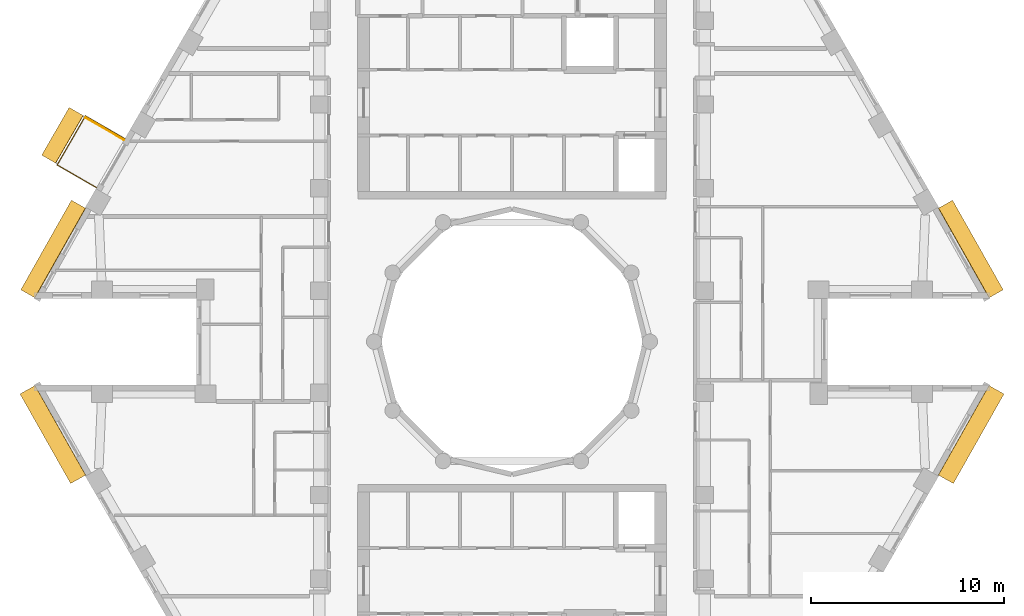
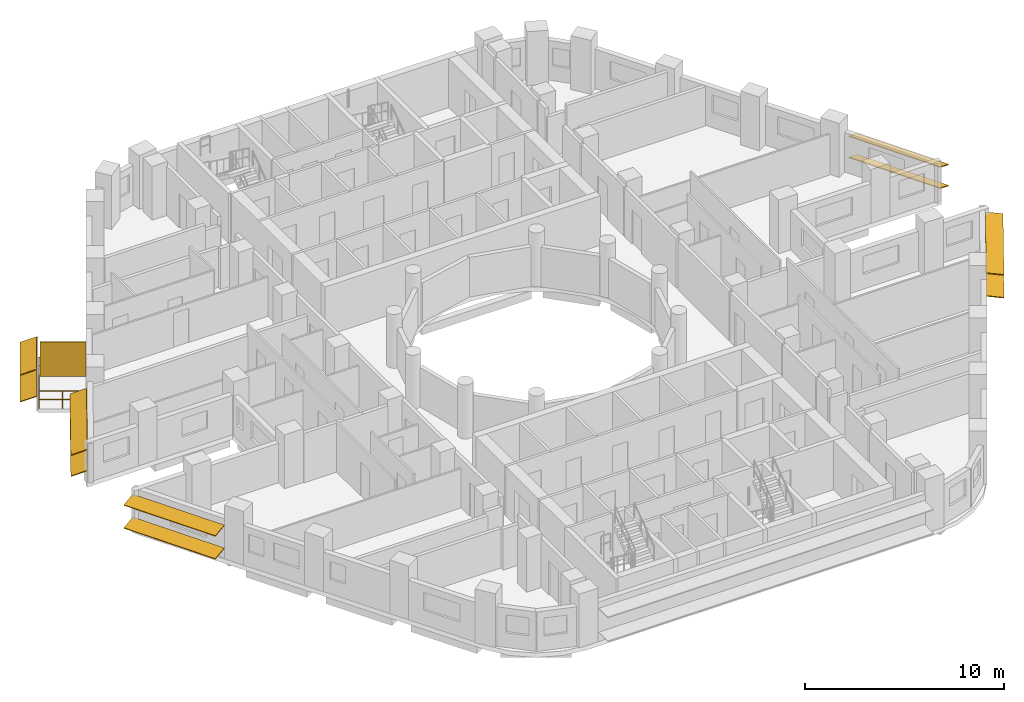
# One storey, part 12 of 13: 11 shading devices, 1 railing.
"""IFC4 building model written with IfcOpenShell, lengths in metres."""

from ifc_helpers import new_model, si_unit, direction, frame, origin, origin_2d, place, context, subcontext, project, spatial, rectangle, circle, extrude, material, layer, layer_set, material_profile, profile_set, type_object, element, save


model = new_model("IFC4")

# Units and contexts
model_context = context("Model", 3, precision=1e-05, world=origin(), true_north=direction((0.0, 1.0)))
body_context = subcontext(model_context, "Body", "Model", "MODEL_VIEW")
ifc_project = project(units=[si_unit("LENGTHUNIT", "METRE"), si_unit("AREAUNIT", "SQUARE_METRE"), si_unit("VOLUMEUNIT", "CUBIC_METRE"), si_unit("PLANEANGLEUNIT", "RADIAN"), si_unit("MASSUNIT", "GRAM", prefix="KILO")], contexts=[model_context])

# Site, building, storey
site_placement = place(None, origin())
site = spatial("IfcSite", under=ifc_project, at=site_placement, CompositionType="ELEMENT")
building_placement = place(site_placement, origin())
building = spatial("IfcBuilding", under=site, at=building_placement, Name="Nakaniwa Court", CompositionType="ELEMENT")
storey_placement = place(building_placement, frame((0.0, 0.0, 246.0)))
storey = spatial("IfcBuildingStorey", under=building, at=storey_placement, Name="L64", CompositionType="ELEMENT", Elevation=246.0)

# Railing
ifc_material_1 = material(Name="Black powder-coated steel flat bar balustrade S275", Category="steel")
railing_type = type_object("IfcRailingType", Name="Black metal balcony guard 1100", PredefinedType="GUARDRAIL", material=ifc_material_1)
railing_placement = place(storey_placement, frame((59.9228515625, 90.525390625, -0.050048828125)))
element("IfcRailing", 1, at=railing_placement, inside=storey, type_object=railing_type, Name="L64 balcony guard 01", PredefinedType="GUARDRAIL", context=body_context, shape_type="SweptSolid", body=[
    extrude(circle(Radius=0.02392578125, at=origin_2d()), frame((0.0, 0.0, 1.076171875), z_axis=(-0.866051224006, 0.499955275397, 0.0), x_axis=(-0.499955275397, -0.866051224006, 0.0)), (0.0, 0.0, 1.0), 2.360107421875),
    extrude(circle(Radius=0.02392578125, at=origin_2d()), frame((0.0, 0.0, 0.550048828125), z_axis=(-0.866051224006, 0.499955275397, 0.0), x_axis=(-0.499955275397, -0.866051224006, 0.0)), (0.0, 0.0, 1.0), 2.360107421875),
    extrude(circle(Radius=0.02392578125, at=origin_2d()), frame((-2.0439453125, 1.179931640625, 1.076171875), z_axis=(-0.499953038101, -0.866052515552, 0.0), x_axis=(0.866052515552, -0.499953038101, 0.0)), (0.0, 0.0, 1.0), 2.932861328125),
    extrude(circle(Radius=0.02392578125, at=origin_2d()), frame((-2.0439453125, 1.179931640625, 0.550048828125), z_axis=(-0.499953038101, -0.866052515552, 0.0), x_axis=(0.866052515552, -0.499953038101, 0.0)), (0.0, 0.0, 1.0), 2.932861328125),
    extrude(circle(Radius=0.02392578125, at=origin_2d()), frame((-3.51025390625, -1.360107421875, 1.076171875), z_axis=(0.866025363618, -0.50000006957, 0.0), x_axis=(0.50000006957, 0.866025363618, 0.0)), (0.0, 0.0, 1.0), 2.35986328125),
    extrude(circle(Radius=0.02392578125, at=origin_2d()), frame((-3.51025390625, -1.360107421875, 0.550048828125), z_axis=(0.866025363618, -0.50000006957, 0.0), x_axis=(0.50000006957, 0.866025363618, 0.0)), (0.0, 0.0, 1.0), 2.35986328125),
    extrude(circle(Radius=0.02099609375, at=origin_2d()), origin(), (0.0, 0.0, 1.0), 1.052001953125),
    extrude(circle(Radius=0.02099609375, at=origin_2d()), frame((-1.02197265625, 0.58984375, 0.0)), (0.0, 0.0, 1.0), 1.052001953125),
    extrude(circle(Radius=0.02099609375, at=origin_2d()), frame((-2.0439453125, 1.179931640625, 0.0)), (0.0, 0.0, 1.0), 1.052001953125),
    extrude(circle(Radius=0.02099609375, at=origin_2d()), frame((-2.53271484375, 0.333251953125, 0.0)), (0.0, 0.0, 1.0), 1.052001953125),
    extrude(circle(Radius=0.02099609375, at=origin_2d()), frame((-3.021484375, -0.513427734375, 0.0)), (0.0, 0.0, 1.0), 1.052001953125),
    extrude(circle(Radius=0.02099609375, at=origin_2d()), frame((-3.51025390625, -1.360107421875, 0.0)), (0.0, 0.0, 1.0), 1.052001953125),
    extrude(circle(Radius=0.02099609375, at=origin_2d()), frame((-2.48828125, -1.9501953125, 0.0)), (0.0, 0.0, 1.0), 1.052001953125),
    extrude(circle(Radius=0.02099609375, at=origin_2d()), frame((-1.466552734375, -2.5400390625, 0.0)), (0.0, 0.0, 1.0), 1.052001953125),
])

# Shading devices
ifc_material_2 = material(Name="Black powder-coated aluminium slat screen", Category="aluminium")
ifc_layer = layer(ifc_material_2, 0.0400390625)
ifc_layer_set = layer_set([ifc_layer], Name="Black powder-coated aluminium slat screen")
shading_device_type_1 = type_object("IfcShadingDeviceType", Name="Koshi screen black metal", PredefinedType="USERDEFINED", material=ifc_layer_set)
shading_device_placement = place(storey_placement, frame((58.882568359375, 91.033447265625, -0.050048828125), z_axis=(0.0, 0.0, 1.0), x_axis=(-0.499986396443, -0.866033257659, 0.0)))
element("IfcShadingDevice", 2, at=shading_device_placement, inside=storey, type_object=shading_device_type_1, Name="L64 balcony SCREEN 01 W", ObjectType="KOSHI SCREEN", PredefinedType="USERDEFINED", context=body_context, shape_type="SweptSolid", body=[
    extrude(rectangle(XDim=0.0400390625, YDim=2.31005859375, at=origin_2d()), origin(), (0.0, 0.0, 1.0), 2.10009765625),
])
ifc_material_3 = material(Name="Perforated charcoal ceramic louvre blade")
ifc_material_profile = material_profile(ifc_material_3, rectangle(XDim=0.89990234375, YDim=0.050048828125, at=origin_2d()), Name="Perforated ceramic louvre blade")
ifc_profile_set = profile_set([ifc_material_profile], Name="Perforated charcoal ceramic louvre blade")
shading_device_type_2 = type_object("IfcShadingDeviceType", Name="Perforated ceramic louvre blade", PredefinedType="JALOUSIE", material=ifc_profile_set)
for number, where, z_axis, x_axis, name in (
    (3, (57.404052734375, 91.933349609375, 0.5), (-0.499949632511, -0.866054481515, 0.0), (0.800130009511, -0.461893232763, 0.382683432365), "L64 perforated ceramic louvre blade 01 1"),
    (4, (57.404052734375, 91.933349609375, 2.14990234375), (-0.499949632511, -0.866054481515, 0.0), (0.800130009511, -0.461893232763, 0.382683432365), "L64 perforated ceramic louvre blade 01 2"),
):
    element("IfcShadingDevice", number, at=place(storey_placement, frame(where, z_axis=z_axis, x_axis=x_axis)), inside=storey, type_object=shading_device_type_2, Name=name, PredefinedType="JALOUSIE", context=body_context, shape_type="SweptSolid", body=[
        extrude(rectangle(XDim=0.89990234375, YDim=0.050048828125, at=origin_2d()), origin(), (0.0, 0.0, 1.0), 2.852783203125),
    ])
for number, where, z_axis, x_axis, name in (
    (5, (105.103759765625, 82.480224609375, 0.550048828125), (-0.492088911474, 0.870544946114, 0.0), (-0.804858877011, -0.454958851288, 0.38107037635), "L64 perforated ceramic louvre blade w02 1"),
    (6, (105.103759765625, 82.480224609375, 1.845458984375), (-0.492088911474, 0.870544946114, 0.0), (-0.804858877011, -0.454958851288, 0.38107037635), "L64 perforated ceramic louvre blade w02 2"),
    (7, (57.5224609375, 87.126220703125, 0.550048828125), (-0.492088911474, -0.870544946114, 0.0), (0.804858877011, -0.454958851288, 0.38107037635), "L64 perforated ceramic louvre blade w14 1"),
    (8, (57.5224609375, 87.126220703125, 1.845458984375), (-0.492088911474, -0.870544946114, 0.0), (0.804858877011, -0.454958851288, 0.38107037635), "L64 perforated ceramic louvre blade w14 2"),
):
    element("IfcShadingDevice", number, at=place(storey_placement, frame(where, z_axis=z_axis, x_axis=x_axis)), inside=storey, type_object=shading_device_type_2, Name=name, PredefinedType="JALOUSIE", context=body_context, shape_type="SweptSolid", body=[
        extrude(rectangle(XDim=0.89990234375, YDim=0.050048828125, at=origin_2d()), origin(), (0.0, 0.0, 1.0), 5.3369140625),
    ])
for number, where, z_axis, x_axis, name in (
    (9, (54.87548828125, 77.508056640625, 0.550048828125), (0.492108509021, -0.870533868008, 0.0), (0.862886698285, 0.487785601632, 0.132256390257), "L64 perforated ceramic louvre blade w20 1"),
    (10, (54.87548828125, 77.508056640625, 1.955810546875), (0.492108509021, -0.870533868008, 0.0), (0.862886698285, 0.487785601632, 0.132256390257), "L64 perforated ceramic louvre blade w20 2"),
    (11, (102.498291015625, 72.8623046875, 0.550048828125), (0.492108509021, 0.870533868008, 0.0), (-0.862886698285, 0.487785601632, 0.132256390257), "L64 perforated ceramic louvre blade w32 1"),
    (12, (102.498291015625, 72.8623046875, 1.955810546875), (0.492108509021, 0.870533868008, 0.0), (-0.862886698285, 0.487785601632, 0.132256390257), "L64 perforated ceramic louvre blade w32 2"),
):
    element("IfcShadingDevice", number, at=place(storey_placement, frame(where, z_axis=z_axis, x_axis=x_axis)), inside=storey, type_object=shading_device_type_2, Name=name, PredefinedType="JALOUSIE", context=body_context, shape_type="SweptSolid", body=[
        extrude(rectangle(XDim=0.89990234375, YDim=0.050048828125, at=origin_2d()), origin(), (0.0, 0.0, 1.0), 5.336669921875),
    ])

save(model, "model.ifc")
